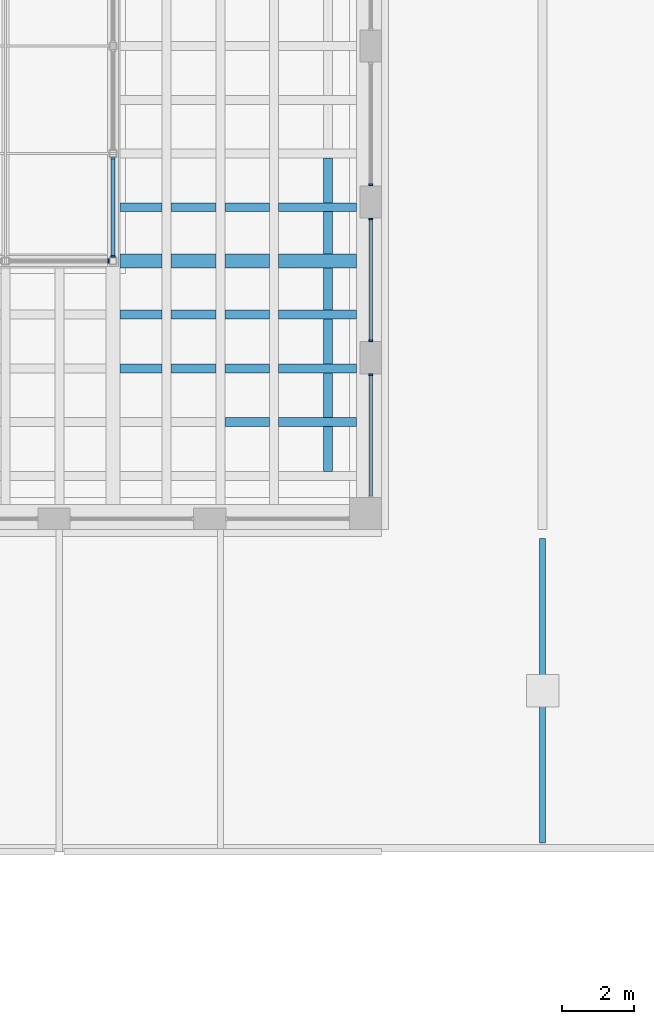
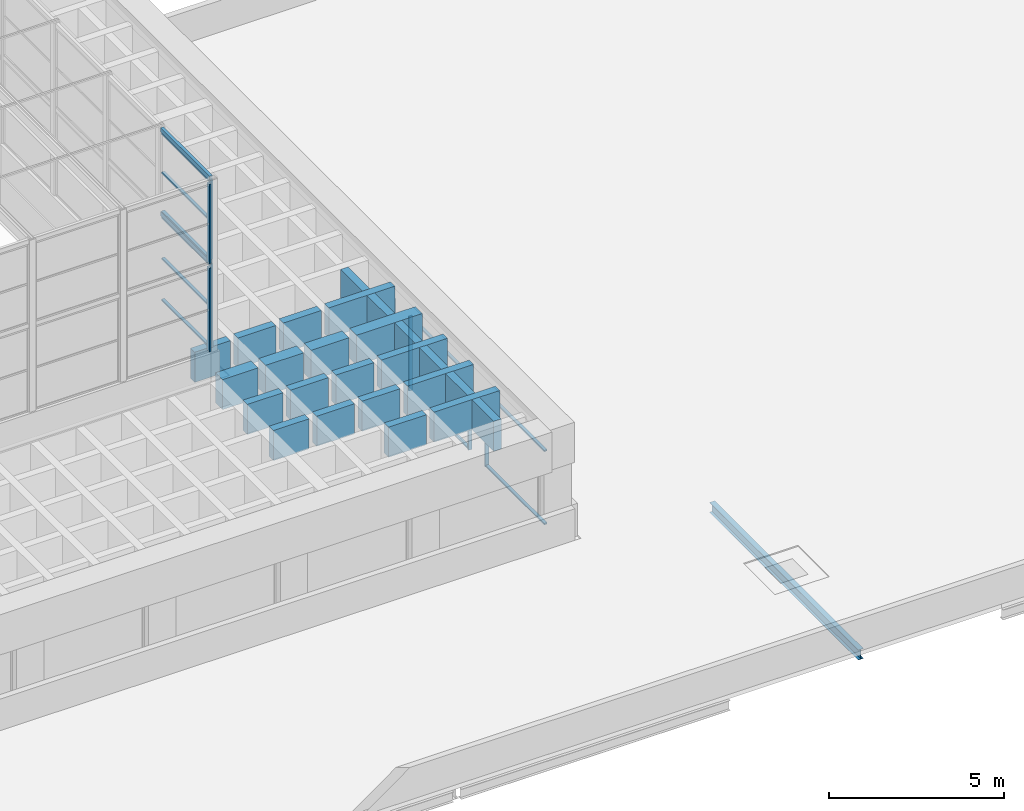
# One storey, part 29 of 50: 27 beams, 18 members, 7 elements without a shape of their own.
"""IFC4 building model written with IfcOpenShell, lengths in metres."""

from ifc_helpers import new_model, si_unit, direction, frame, origin, origin_2d, place, context, subcontext, project, spatial, rectangle, hollow_rectangle, i_section, extrude, material, layer, layer_set, material_profile, profile_set, type_object, element, aggregate, save


model = new_model("IFC4")

# Units and contexts
model_context = context("Model", 3, precision=1e-05, world=origin(), true_north=direction((0.0, 1.0)))
body_context = subcontext(model_context, "Body", "Model", "MODEL_VIEW")
ifc_project = project(units=[si_unit("LENGTHUNIT", "METRE"), si_unit("AREAUNIT", "SQUARE_METRE"), si_unit("VOLUMEUNIT", "CUBIC_METRE"), si_unit("PLANEANGLEUNIT", "RADIAN"), si_unit("MASSUNIT", "GRAM", prefix="KILO")], contexts=[model_context])

# Site, building, storey
site_placement = place(None, origin())
site = spatial("IfcSite", under=ifc_project, at=site_placement, CompositionType="ELEMENT")
building_placement = place(site_placement, origin())
building = spatial("IfcBuilding", under=site, at=building_placement, Name="Corbel Yard City Hall", CompositionType="ELEMENT")
storey_placement = place(building_placement, frame((0.0, 0.0, 15.0)))
storey = spatial("IfcBuildingStorey", under=building, at=storey_placement, Name="L03", CompositionType="ELEMENT", Elevation=15.0)

# Beams
ifc_material_1 = material(Name="Concrete N50 (50 MPa)", Category="concrete")
ifc_material_profile_1 = material_profile(ifc_material_1, rectangle(XDim=0.25, YDim=1.050048828125, at=origin_2d()), Name="250x1050")
ifc_profile_set_1 = profile_set([ifc_material_profile_1], Name="Concrete N50 (50 MPa)")
beam_type_1 = type_object("IfcBeamType", Name="Coffer cross rib RC 250X1050", PredefinedType="T_BEAM", material=ifc_profile_set_1)
for number, where, z_axis, x_axis, name in (
    (1, (142.5, 55.625, 3.125), (0.0, 1.0, 0.0), (-1.0, 0.0, 0.0), "Coffer cross rib RB3"),
    (2, (142.5, 57.125, 3.125), (0.0, 1.0, 0.0), (-1.0, 0.0, 0.0), "Coffer cross rib RB3"),
    (3, (142.5, 58.625, 3.125), (0.0, 1.0, 0.0), (-1.0, 0.0, 0.0), "Coffer cross rib RB3"),
):
    element("IfcBeam", number, at=place(storey_placement, frame(where, z_axis=z_axis, x_axis=x_axis)), inside=storey, type_object=beam_type_1, Name=name, PredefinedType="T_BEAM", context=body_context, shape_type="SweptSolid", body=[
        extrude(rectangle(XDim=0.25, YDim=1.050048828125, at=origin_2d()), origin(), (0.0, 0.0, 1.0), 1.25),
    ])
for number, where, z_axis, x_axis, name in (
    (4, (142.5, 60.125, 3.125), (0.0, 1.0, 0.0), (-1.0, 0.0, 0.0), "Coffer cross rib RB3"),
    (5, (142.5, 61.699951171875, 3.125), (0.0, 1.0, 0.0), (-1.0, 0.0, 0.0), "Coffer cross rib RB3"),
):
    element("IfcBeam", number, at=place(storey_placement, frame(where, z_axis=z_axis, x_axis=x_axis)), inside=storey, type_object=beam_type_1, Name=name, PredefinedType="T_BEAM", context=body_context, shape_type="SweptSolid", body=[
        extrude(rectangle(XDim=0.25, YDim=1.050048828125, at=origin_2d()), origin(), (0.0, 0.0, 1.0), 1.175048828125),
    ])
for number, where, z_axis, x_axis, name in (
    (6, (142.5, 63.125, 3.125), (0.0, 1.0, 0.0), (-1.0, 0.0, 0.0), "Coffer cross rib RB3"),
    (7, (139.625, 57.0, 3.125), (1.0, 0.0, 0.0), (0.0, 1.0, 0.0), "Coffer cross rib RB3"),
):
    element("IfcBeam", number, at=place(storey_placement, frame(where, z_axis=z_axis, x_axis=x_axis)), inside=storey, type_object=beam_type_1, Name=name, PredefinedType="T_BEAM", context=body_context, shape_type="SweptSolid", body=[
        extrude(rectangle(XDim=0.25, YDim=1.050048828125, at=origin_2d()), origin(), (0.0, 0.0, 1.0), 1.25),
    ])
beam_1_placement = place(storey_placement, frame((141.125, 57.0, 3.125), z_axis=(1.0, 0.0, 0.0), x_axis=(0.0, 1.0, 0.0)))
element("IfcBeam", 8, at=beam_1_placement, inside=storey, type_object=beam_type_1, Name="Coffer cross rib RB3", PredefinedType="T_BEAM", context=body_context, shape_type="SweptSolid", body=[
    extrude(rectangle(XDim=0.25, YDim=1.050048828125, at=origin_2d()), origin(), (0.0, 0.0, 1.0), 2.175048828125),
])
beam_2_placement = place(storey_placement, frame((136.699951171875, 58.5, 3.125), z_axis=(1.0, 0.0, 0.0), x_axis=(0.0, 1.0, 0.0)))
element("IfcBeam", 9, at=beam_2_placement, inside=storey, type_object=beam_type_1, Name="Coffer cross rib RB3", PredefinedType="T_BEAM", context=body_context, shape_type="SweptSolid", body=[
    extrude(rectangle(XDim=0.25, YDim=1.050048828125, at=origin_2d()), origin(), (0.0, 0.0, 1.0), 1.175048828125),
])
for number, where, z_axis, x_axis, name in (
    (10, (138.125, 58.5, 3.125), (1.0, 0.0, 0.0), (0.0, 1.0, 0.0), "Coffer cross rib RB3"),
    (11, (139.625, 58.5, 3.125), (1.0, 0.0, 0.0), (0.0, 1.0, 0.0), "Coffer cross rib RB3"),
):
    element("IfcBeam", number, at=place(storey_placement, frame(where, z_axis=z_axis, x_axis=x_axis)), inside=storey, type_object=beam_type_1, Name=name, PredefinedType="T_BEAM", context=body_context, shape_type="SweptSolid", body=[
        extrude(rectangle(XDim=0.25, YDim=1.050048828125, at=origin_2d()), origin(), (0.0, 0.0, 1.0), 1.25),
    ])
beam_3_placement = place(storey_placement, frame((141.125, 58.5, 3.125), z_axis=(1.0, 0.0, 0.0), x_axis=(0.0, 1.0, 0.0)))
element("IfcBeam", 12, at=beam_3_placement, inside=storey, type_object=beam_type_1, Name="Coffer cross rib RB3", PredefinedType="T_BEAM", context=body_context, shape_type="SweptSolid", body=[
    extrude(rectangle(XDim=0.25, YDim=1.050048828125, at=origin_2d()), origin(), (0.0, 0.0, 1.0), 2.175048828125),
])
beam_4_placement = place(storey_placement, frame((136.699951171875, 60.0, 3.125), z_axis=(1.0, 0.0, 0.0), x_axis=(0.0, 1.0, 0.0)))
element("IfcBeam", 13, at=beam_4_placement, inside=storey, type_object=beam_type_1, Name="Coffer cross rib RB3", PredefinedType="T_BEAM", context=body_context, shape_type="SweptSolid", body=[
    extrude(rectangle(XDim=0.25, YDim=1.050048828125, at=origin_2d()), origin(), (0.0, 0.0, 1.0), 1.175048828125),
])
for number, where, z_axis, x_axis, name in (
    (14, (138.125, 60.0, 3.125), (1.0, 0.0, 0.0), (0.0, 1.0, 0.0), "Coffer cross rib RB3"),
    (15, (139.625, 60.0, 3.125), (1.0, 0.0, 0.0), (0.0, 1.0, 0.0), "Coffer cross rib RB3"),
):
    element("IfcBeam", number, at=place(storey_placement, frame(where, z_axis=z_axis, x_axis=x_axis)), inside=storey, type_object=beam_type_1, Name=name, PredefinedType="T_BEAM", context=body_context, shape_type="SweptSolid", body=[
        extrude(rectangle(XDim=0.25, YDim=1.050048828125, at=origin_2d()), origin(), (0.0, 0.0, 1.0), 1.25),
    ])
beam_5_placement = place(storey_placement, frame((141.125, 60.0, 3.125), z_axis=(1.0, 0.0, 0.0), x_axis=(0.0, 1.0, 0.0)))
element("IfcBeam", 16, at=beam_5_placement, inside=storey, type_object=beam_type_1, Name="Coffer cross rib RB3", PredefinedType="T_BEAM", context=body_context, shape_type="SweptSolid", body=[
    extrude(rectangle(XDim=0.25, YDim=1.050048828125, at=origin_2d()), origin(), (0.0, 0.0, 1.0), 2.175048828125),
])
beam_6_placement = place(storey_placement, frame((136.699951171875, 63.0, 3.125), z_axis=(1.0, 0.0, 0.0), x_axis=(0.0, 1.0, 0.0)))
element("IfcBeam", 17, at=beam_6_placement, inside=storey, type_object=beam_type_1, Name="Coffer cross rib RB3", PredefinedType="T_BEAM", context=body_context, shape_type="SweptSolid", body=[
    extrude(rectangle(XDim=0.25, YDim=1.050048828125, at=origin_2d()), origin(), (0.0, 0.0, 1.0), 1.175048828125),
])
for number, where, z_axis, x_axis, name in (
    (18, (138.125, 63.0, 3.125), (1.0, 0.0, 0.0), (0.0, 1.0, 0.0), "Coffer cross rib RB3"),
    (19, (139.625, 63.0, 3.125), (1.0, 0.0, 0.0), (0.0, 1.0, 0.0), "Coffer cross rib RB3"),
):
    element("IfcBeam", number, at=place(storey_placement, frame(where, z_axis=z_axis, x_axis=x_axis)), inside=storey, type_object=beam_type_1, Name=name, PredefinedType="T_BEAM", context=body_context, shape_type="SweptSolid", body=[
        extrude(rectangle(XDim=0.25, YDim=1.050048828125, at=origin_2d()), origin(), (0.0, 0.0, 1.0), 1.25),
    ])
beam_7_placement = place(storey_placement, frame((141.125, 63.0, 3.125), z_axis=(1.0, 0.0, 0.0), x_axis=(0.0, 1.0, 0.0)))
element("IfcBeam", 20, at=beam_7_placement, inside=storey, type_object=beam_type_1, Name="Coffer cross rib RB3", PredefinedType="T_BEAM", context=body_context, shape_type="SweptSolid", body=[
    extrude(rectangle(XDim=0.25, YDim=1.050048828125, at=origin_2d()), origin(), (0.0, 0.0, 1.0), 2.175048828125),
])
ifc_material_2 = material(Name="Steel Grade C450L0", Category="steel")
ifc_material_profile_2 = material_profile(ifc_material_2, hollow_rectangle(XDim=0.10009765625, YDim=0.14990234375, WallThickness=0.006103515625, at=origin_2d()), Name="150x100x6.0RHS")
ifc_profile_set_2 = profile_set([ifc_material_profile_2], Name="Steel Grade C450L0")
beam_type_2 = type_object("IfcBeamType", Name="Lantern frame beam 150x100x6.0RHS", PredefinedType="BEAM", material=ifc_profile_set_2)
for number, where, z_axis, x_axis, name in (
    (21, (136.5, 61.60009765625, 10.574951171875), (0.0, 1.0, 0.0), (-1.0, 0.0, 0.0), "Lantern frame beam 150x100x6.0RHS SB22"),
    (22, (136.5, 61.60009765625, 7.64990234375), (0.0, 1.0, 0.0), (-1.0, 0.0, 0.0), "Lantern frame beam 150x100x6.0RHS SB22"),
):
    element("IfcBeam", number, at=place(storey_placement, frame(where, z_axis=z_axis, x_axis=x_axis)), inside=storey, type_object=beam_type_2, Name=name, PredefinedType="BEAM", context=body_context, shape_type="SweptSolid", body=[
        extrude(hollow_rectangle(XDim=0.10009765625, YDim=0.14990234375, WallThickness=0.006103515625, at=origin_2d()), origin(), (0.0, 0.0, 1.0), 2.7998046875),
    ])
ifc_material_profile_3 = material_profile(ifc_material_1, rectangle(XDim=0.39990234375, YDim=1.050048828125, at=origin_2d()), Name="400x1050")
ifc_profile_set_3 = profile_set([ifc_material_profile_3], Name="Concrete N50 (50 MPa)")
beam_type_3 = type_object("IfcBeamType", Name="Lantern trimmer cross rib RC 400X1050", PredefinedType="BEAM", material=ifc_profile_set_3)
beam_8_placement = place(storey_placement, frame((136.699951171875, 61.5, 3.125), z_axis=(1.0, 0.0, 0.0), x_axis=(0.0, 1.0, 0.0)))
element("IfcBeam", 23, at=beam_8_placement, inside=storey, type_object=beam_type_3, Name="Lantern trimmer cross rib RB4", PredefinedType="BEAM", context=body_context, shape_type="SweptSolid", body=[
    extrude(rectangle(XDim=0.39990234375, YDim=1.050048828125, at=origin_2d()), origin(), (0.0, 0.0, 1.0), 1.175048828125),
])
for number, where, z_axis, x_axis, name in (
    (24, (138.125, 61.5, 3.125), (1.0, 0.0, 0.0), (0.0, 1.0, 0.0), "Lantern trimmer cross rib RB4"),
    (25, (139.625, 61.5, 3.125), (1.0, 0.0, 0.0), (0.0, 1.0, 0.0), "Lantern trimmer cross rib RB4"),
):
    element("IfcBeam", number, at=place(storey_placement, frame(where, z_axis=z_axis, x_axis=x_axis)), inside=storey, type_object=beam_type_3, Name=name, PredefinedType="BEAM", context=body_context, shape_type="SweptSolid", body=[
        extrude(rectangle(XDim=0.39990234375, YDim=1.050048828125, at=origin_2d()), origin(), (0.0, 0.0, 1.0), 1.25),
    ])
beam_9_placement = place(storey_placement, frame((141.125, 61.5, 3.125), z_axis=(1.0, 0.0, 0.0), x_axis=(0.0, 1.0, 0.0)))
element("IfcBeam", 26, at=beam_9_placement, inside=storey, type_object=beam_type_3, Name="Lantern trimmer cross rib RB4", PredefinedType="BEAM", context=body_context, shape_type="SweptSolid", body=[
    extrude(rectangle(XDim=0.39990234375, YDim=1.050048828125, at=origin_2d()), origin(), (0.0, 0.0, 1.0), 2.175048828125),
])

# Curtain wall, member
ifc_material_3 = material(Name="Aluminium extrusion", Category="aluminium")
ifc_layer = layer(ifc_material_3, 0.1201171875)
ifc_layer_set = layer_set([ifc_layer], Name="Aluminium extrusion")
curtain_wall_type = type_object("IfcCurtainWallType", Name="CW3", PredefinedType="USERDEFINED", material=ifc_layer_set)
curtain_wall_1_placement = place(storey_placement, origin())
curtain_wall_1 = element("IfcCurtainWall", 27, at=curtain_wall_1_placement, inside=storey, type_object=curtain_wall_type, Name="Lantern glazing", ObjectType="CURTAIN WALL", PredefinedType="USERDEFINED")
ifc_material_profile_4 = material_profile(ifc_material_3, rectangle(XDim=0.1201171875, YDim=0.050048828125, at=origin_2d()), Name="120x50")
ifc_profile_set_4 = profile_set([ifc_material_profile_4], Name="Aluminium extrusion")
member_type_1 = type_object("IfcMemberType", Name="ML3", PredefinedType="MULLION", material=ifc_profile_set_4)
member_1_placement = place(storey_placement, frame((136.375, 61.5, 4.64990234375), z_axis=(0.0, 0.0, 1.0), x_axis=(0.0, 1.0, 0.0)))
member_1 = element("IfcMember", 28, at=member_1_placement, type_object=member_type_1, Name="CW3 mullion 2", PredefinedType="MULLION", context=body_context, shape_type="SweptSolid", body=[
    extrude(rectangle(XDim=0.1201171875, YDim=0.050048828125, at=origin_2d()), origin(), (0.0, 0.0, 1.0), 2.925048828125),
])
aggregate(curtain_wall_1, [member_1])

curtain_wall_2_placement = place(storey_placement, origin())
curtain_wall_2 = element("IfcCurtainWall", 29, at=curtain_wall_2_placement, inside=storey, type_object=curtain_wall_type, Name="Lantern glazing", ObjectType="CURTAIN WALL", PredefinedType="USERDEFINED")
member_2_placement = place(storey_placement, frame((136.5, 61.625, 4.64990234375), z_axis=(0.0, 0.0, 1.0), x_axis=(-1.0, 0.0, 0.0)))
member_2 = element("IfcMember", 30, at=member_2_placement, type_object=member_type_1, Name="CW3 mullion 1", PredefinedType="MULLION", context=body_context, shape_type="SweptSolid", body=[
    extrude(rectangle(XDim=0.1201171875, YDim=0.050048828125, at=origin_2d()), origin(), (0.0, 0.0, 1.0), 2.925048828125),
])

curtain_wall_3_placement = place(storey_placement, origin())
curtain_wall_3 = element("IfcCurtainWall", 31, at=curtain_wall_3_placement, inside=storey, type_object=curtain_wall_type, Name="Lantern glazing", ObjectType="CURTAIN WALL", PredefinedType="USERDEFINED")
member_3_placement = place(storey_placement, frame((136.375, 61.5, 7.72509765625), z_axis=(0.0, 0.0, 1.0), x_axis=(0.0, 1.0, 0.0)))
member_3 = element("IfcMember", 32, at=member_3_placement, type_object=member_type_1, Name="CW3 mullion 2", PredefinedType="MULLION", context=body_context, shape_type="SweptSolid", body=[
    extrude(rectangle(XDim=0.1201171875, YDim=0.050048828125, at=origin_2d()), origin(), (0.0, 0.0, 1.0), 2.77490234375),
])
aggregate(curtain_wall_3, [member_3])

curtain_wall_4_placement = place(storey_placement, origin())
curtain_wall_4 = element("IfcCurtainWall", 33, at=curtain_wall_4_placement, inside=storey, type_object=curtain_wall_type, Name="Lantern glazing", ObjectType="CURTAIN WALL", PredefinedType="USERDEFINED")
member_4_placement = place(storey_placement, frame((136.5, 61.625, 7.72509765625), z_axis=(0.0, 0.0, 1.0), x_axis=(-1.0, 0.0, 0.0)))
member_4 = element("IfcMember", 34, at=member_4_placement, type_object=member_type_1, Name="CW3 mullion 1", PredefinedType="MULLION", context=body_context, shape_type="SweptSolid", body=[
    extrude(rectangle(XDim=0.1201171875, YDim=0.050048828125, at=origin_2d()), origin(), (0.0, 0.0, 1.0), 2.77490234375),
])

curtain_wall_5_placement = place(storey_placement, origin())
curtain_wall_5 = element("IfcCurtainWall", 35, at=curtain_wall_5_placement, inside=storey, type_object=curtain_wall_type, Name="Chamber clerestory glazing", ObjectType="CURTAIN WALL", PredefinedType="USERDEFINED")
member_5_placement = place(storey_placement, frame((143.699951171875, 58.324951171875, 0.0), z_axis=(0.0, 0.0, 1.0), x_axis=(-1.0, 0.0, 0.0)))
member_5 = element("IfcMember", 36, at=member_5_placement, type_object=member_type_1, Name="CW3 mullion 2", PredefinedType="MULLION", context=body_context, shape_type="SweptSolid", body=[
    extrude(rectangle(XDim=0.1201171875, YDim=0.050048828125, at=origin_2d()), origin(), (0.0, 0.0, 1.0), 2.60009765625),
])

# Curtain wall, members
curtain_wall_6_placement = place(storey_placement, origin())
curtain_wall_6 = element("IfcCurtainWall", 37, at=curtain_wall_6_placement, inside=storey, type_object=curtain_wall_type, Name="Chamber clerestory glazing", ObjectType="CURTAIN WALL", PredefinedType="USERDEFINED")
member_6_placement = place(storey_placement, frame((143.699951171875, 59.27490234375, 0.0), z_axis=(0.0, 0.0, 1.0), x_axis=(-1.0, 0.0, 0.0)))
member_6 = element("IfcMember", 38, at=member_6_placement, type_object=member_type_1, Name="CW3 mullion 1", PredefinedType="MULLION", context=body_context, shape_type="SweptSolid", body=[
    extrude(rectangle(XDim=0.1201171875, YDim=0.050048828125, at=origin_2d()), origin(), (0.0, 0.0, 1.0), 2.60009765625),
])
member_7_placement = place(storey_placement, frame((143.699951171875, 62.675048828125, 0.0), z_axis=(0.0, 0.0, 1.0), x_axis=(-1.0, 0.0, 0.0)))
member_7 = element("IfcMember", 39, at=member_7_placement, type_object=member_type_1, Name="CW3 mullion 2", PredefinedType="MULLION", context=body_context, shape_type="SweptSolid", body=[
    extrude(rectangle(XDim=0.1201171875, YDim=0.050048828125, at=origin_2d()), origin(), (0.0, 0.0, 1.0), 2.60009765625),
])

# Curtain wall, member
curtain_wall_7_placement = place(storey_placement, origin())
curtain_wall_7 = element("IfcCurtainWall", 40, at=curtain_wall_7_placement, inside=storey, type_object=curtain_wall_type, Name="Chamber clerestory glazing", ObjectType="CURTAIN WALL", PredefinedType="USERDEFINED")
member_8_placement = place(storey_placement, frame((143.699951171875, 63.625, 0.0), z_axis=(0.0, 0.0, 1.0), x_axis=(-1.0, 0.0, 0.0)))
member_8 = element("IfcMember", 41, at=member_8_placement, type_object=member_type_1, Name="CW3 mullion 1", PredefinedType="MULLION", context=body_context, shape_type="SweptSolid", body=[
    extrude(rectangle(XDim=0.1201171875, YDim=0.050048828125, at=origin_2d()), origin(), (0.0, 0.0, 1.0), 2.60009765625),
])
aggregate(curtain_wall_7, [member_8])

# Beam
ifc_material_4 = material(Name="Steel Grade 300 (300 MPa yield)", Category="steel")
ifc_material_profile_5 = material_profile(ifc_material_4, i_section(OverallWidth=0.1708984375, OverallDepth=0.35205078125, WebThickness=0.0068359375, FlangeThickness=0.009765625, at=origin_2d()), Name="360UB44.7")
ifc_profile_set_5 = profile_set([ifc_material_profile_5], Name="Steel Grade 300 (300 MPa yield)")
beam_type_4 = type_object("IfcBeamType", Name="Secondary beam 360UB44.7", PredefinedType="JOIST", material=ifc_profile_set_5)
beam_10_placement = place(storey_placement, frame((148.5, 45.25, -0.325927734375), z_axis=(0.0, 1.0, 0.0), x_axis=(-1.0, 0.0, 0.0)))
element("IfcBeam", 42, at=beam_10_placement, inside=storey, type_object=beam_type_4, Name="Core roof beam 360UB44.7 SB11 PC-M4", PredefinedType="JOIST", context=body_context, shape_type="SweptSolid", body=[
    extrude(i_section(OverallWidth=0.1708984375, OverallDepth=0.35205078125, WebThickness=0.0068359375, FlangeThickness=0.009765625, at=origin_2d()), origin(), (0.0, 0.0, 1.0), 8.5),
])

# Member
ifc_material_profile_6 = material_profile(ifc_material_3, rectangle(XDim=0.10009765625, YDim=0.050048828125, at=origin_2d()), Name="100x50")
ifc_profile_set_6 = profile_set([ifc_material_profile_6], Name="Aluminium extrusion")
member_type_2 = type_object("IfcMemberType", Name="TR3", PredefinedType="USERDEFINED", material=ifc_profile_set_6)
member_9_placement = place(storey_placement, frame((136.5, 61.64990234375, 4.675048828125), z_axis=(0.0, 1.0, 0.0), x_axis=(-1.0, 0.0, 0.0)))
member_9 = element("IfcMember", 43, at=member_9_placement, type_object=member_type_2, Name="CW3 transom 1.1", ObjectType="TRANSOM", PredefinedType="USERDEFINED", context=body_context, shape_type="SweptSolid", body=[
    extrude(rectangle(XDim=0.10009765625, YDim=0.050048828125, at=origin_2d()), origin(), (0.0, 0.0, 1.0), 2.7001953125),
])

member_10_placement = place(storey_placement, frame((136.5, 61.64990234375, 6.112548828125), z_axis=(0.0, 1.0, 0.0), x_axis=(-1.0, 0.0, 0.0)))
member_10 = element("IfcMember", 44, at=member_10_placement, type_object=member_type_2, Name="CW3 transom 1.2", ObjectType="TRANSOM", PredefinedType="USERDEFINED", context=body_context, shape_type="SweptSolid", body=[
    extrude(rectangle(XDim=0.10009765625, YDim=0.050048828125, at=origin_2d()), origin(), (0.0, 0.0, 1.0), 2.7001953125),
])

member_11_placement = place(storey_placement, frame((136.5, 61.64990234375, 7.550048828125), z_axis=(0.0, 1.0, 0.0), x_axis=(-1.0, 0.0, 0.0)))
member_11 = element("IfcMember", 45, at=member_11_placement, type_object=member_type_2, Name="CW3 transom 1.3", ObjectType="TRANSOM", PredefinedType="USERDEFINED", context=body_context, shape_type="SweptSolid", body=[
    extrude(rectangle(XDim=0.10009765625, YDim=0.050048828125, at=origin_2d()), origin(), (0.0, 0.0, 1.0), 2.7001953125),
])

aggregate(curtain_wall_2, [member_2, member_9, member_10, member_11])

member_12_placement = place(storey_placement, frame((136.5, 61.64990234375, 7.75), z_axis=(0.0, 1.0, 0.0), x_axis=(-1.0, 0.0, 0.0)))
member_12 = element("IfcMember", 46, at=member_12_placement, type_object=member_type_2, Name="CW3 transom 1.1", ObjectType="TRANSOM", PredefinedType="USERDEFINED", context=body_context, shape_type="SweptSolid", body=[
    extrude(rectangle(XDim=0.10009765625, YDim=0.050048828125, at=origin_2d()), origin(), (0.0, 0.0, 1.0), 2.7001953125),
])

member_13_placement = place(storey_placement, frame((136.5, 61.64990234375, 9.112548828125), z_axis=(0.0, 1.0, 0.0), x_axis=(-1.0, 0.0, 0.0)))
member_13 = element("IfcMember", 47, at=member_13_placement, type_object=member_type_2, Name="CW3 transom 1.2", ObjectType="TRANSOM", PredefinedType="USERDEFINED", context=body_context, shape_type="SweptSolid", body=[
    extrude(rectangle(XDim=0.10009765625, YDim=0.050048828125, at=origin_2d()), origin(), (0.0, 0.0, 1.0), 2.7001953125),
])

member_14_placement = place(storey_placement, frame((136.5, 61.64990234375, 10.47509765625), z_axis=(0.0, 1.0, 0.0), x_axis=(-1.0, 0.0, 0.0)))
member_14 = element("IfcMember", 48, at=member_14_placement, type_object=member_type_2, Name="CW3 transom 1.3", ObjectType="TRANSOM", PredefinedType="USERDEFINED", context=body_context, shape_type="SweptSolid", body=[
    extrude(rectangle(XDim=0.10009765625, YDim=0.050048828125, at=origin_2d()), origin(), (0.0, 0.0, 1.0), 2.7001953125),
])

aggregate(curtain_wall_4, [member_4, member_12, member_13, member_14])

member_15_placement = place(storey_placement, frame((143.699951171875, 54.949951171875, 0.02490234375), z_axis=(0.0, 1.0, 0.0), x_axis=(-1.0, 0.0, 0.0)))
member_15 = element("IfcMember", 49, at=member_15_placement, type_object=member_type_2, Name="CW3 transom 1.1", ObjectType="TRANSOM", PredefinedType="USERDEFINED", context=body_context, shape_type="SweptSolid", body=[
    extrude(rectangle(XDim=0.10009765625, YDim=0.050048828125, at=origin_2d()), origin(), (0.0, 0.0, 1.0), 3.35009765625),
])

member_16_placement = place(storey_placement, frame((143.699951171875, 54.949951171875, 2.574951171875), z_axis=(0.0, 1.0, 0.0), x_axis=(-1.0, 0.0, 0.0)))
member_16 = element("IfcMember", 50, at=member_16_placement, type_object=member_type_2, Name="CW3 transom 1.2", ObjectType="TRANSOM", PredefinedType="USERDEFINED", context=body_context, shape_type="SweptSolid", body=[
    extrude(rectangle(XDim=0.10009765625, YDim=0.050048828125, at=origin_2d()), origin(), (0.0, 0.0, 1.0), 3.35009765625),
])

aggregate(curtain_wall_5, [member_5, member_15, member_16])

member_17_placement = place(storey_placement, frame((143.699951171875, 59.300048828125, 0.02490234375), z_axis=(0.0, 1.0, 0.0), x_axis=(-1.0, 0.0, 0.0)))
member_17 = element("IfcMember", 51, at=member_17_placement, type_object=member_type_2, Name="CW3 transom 1.1", ObjectType="TRANSOM", PredefinedType="USERDEFINED", context=body_context, shape_type="SweptSolid", body=[
    extrude(rectangle(XDim=0.10009765625, YDim=0.050048828125, at=origin_2d()), origin(), (0.0, 0.0, 1.0), 3.349853515625),
])

member_18_placement = place(storey_placement, frame((143.699951171875, 59.300048828125, 2.574951171875), z_axis=(0.0, 1.0, 0.0), x_axis=(-1.0, 0.0, 0.0)))
member_18 = element("IfcMember", 52, at=member_18_placement, type_object=member_type_2, Name="CW3 transom 1.2", ObjectType="TRANSOM", PredefinedType="USERDEFINED", context=body_context, shape_type="SweptSolid", body=[
    extrude(rectangle(XDim=0.10009765625, YDim=0.050048828125, at=origin_2d()), origin(), (0.0, 0.0, 1.0), 3.349853515625),
])

aggregate(curtain_wall_6, [member_6, member_7, member_17, member_18])

save(model, "model.ifc")
